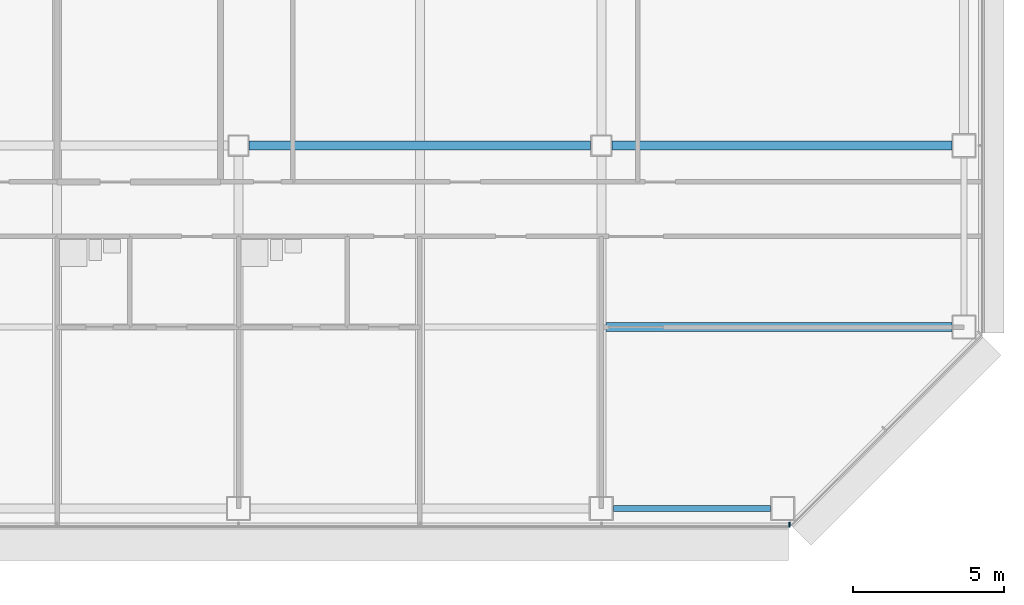
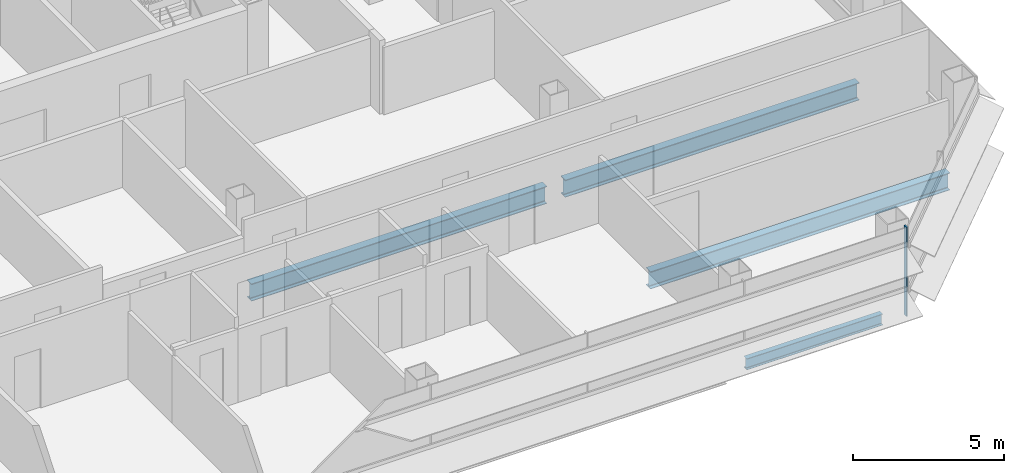
# One storey, part 9 of 25: 4 beams, 1 member, 1 element without a shape of its own.
"""IFC4 building model written with IfcOpenShell, lengths in metres."""

from ifc_helpers import new_model, si_unit, direction, frame, origin, origin_2d, place, context, subcontext, project, spatial, rectangle, i_section, extrude, material, material_profile, profile_set, type_object, element, aggregate, save


model = new_model("IFC4")

# Units and contexts
model_context = context("Model", 3, precision=1e-05, world=origin(), true_north=direction((0.0, 1.0)))
body_context = subcontext(model_context, "Body", "Model", "MODEL_VIEW")
ifc_project = project(units=[si_unit("LENGTHUNIT", "METRE"), si_unit("AREAUNIT", "SQUARE_METRE"), si_unit("VOLUMEUNIT", "CUBIC_METRE"), si_unit("PLANEANGLEUNIT", "RADIAN"), si_unit("MASSUNIT", "GRAM", prefix="KILO")], contexts=[model_context])

# Site, building, storey
site_placement = place(None, origin())
site = spatial("IfcSite", under=ifc_project, at=site_placement, CompositionType="ELEMENT")
building_placement = place(site_placement, origin())
building = spatial("IfcBuilding", under=site, at=building_placement, Name="Sorahane Residences", CompositionType="ELEMENT")
storey_placement = place(building_placement, frame((0.0, 0.0, 123.199951171875)))
storey = spatial("IfcBuildingStorey", under=building, at=storey_placement, Name="L27", CompositionType="ELEMENT", Elevation=123.199951171875)

# Curtain wall, member
ifc_material_1 = material(Name="Dark low-e glass and black anodised aluminium", Category="aluminium")
curtain_wall_type = type_object("IfcCurtainWallType", Name="Curtain wall CW-1 Typical unitised wall", PredefinedType="NOTDEFINED", material=ifc_material_1)
curtain_wall_placement = place(storey_placement, origin())
curtain_wall = element("IfcCurtainWall", 1, at=curtain_wall_placement, inside=storey, type_object=curtain_wall_type, Name="CW-1 curtain wall L27 S1", PredefinedType="NOTDEFINED")
ifc_material_2 = material(Name="Black anodised aluminium", Category="aluminium")
ifc_material_profile_1 = material_profile(ifc_material_2, rectangle(XDim=0.159912109375, YDim=0.050048828125, at=origin_2d()), Name="Curtain wall mullion CW-1 black anodised aluminium 50x160")
ifc_profile_set_1 = profile_set([ifc_material_profile_1], Name="Black anodised aluminium")
member_type = type_object("IfcMemberType", Name="Curtain wall mullion CW-1 black anodised aluminium 50x160", PredefinedType="MULLION", material=ifc_profile_set_1)
member_placement = place(storey_placement, frame((54.2236328125, -0.5400390625, -0.179931640625), z_axis=(0.0, 0.0, 1.0), x_axis=(0.0, -1.0, 0.0)))
member = element("IfcMember", 2, at=member_placement, type_object=member_type, Name="CW-1 mullion L27 S1.10", PredefinedType="MULLION", context=body_context, shape_type="SweptSolid", body=[
    extrude(rectangle(XDim=0.159912109375, YDim=0.050048828125, at=origin_2d()), origin(), (0.0, 0.0, 1.0), 3.60009765625),
])
aggregate(curtain_wall, [member])

# Beams
ifc_material_3 = material(Name="Steel Q355B", Category="steel")
ifc_material_profile_2 = material_profile(ifc_material_3, i_section(OverallWidth=0.199951171875, OverallDepth=0.449951171875, WebThickness=0.009033203125, FlangeThickness=0.013916015625, FilletRadius=0.02001953125, at=origin_2d()), Name="HN 450x200x9x14")
ifc_profile_set_2 = profile_set([ifc_material_profile_2], Name="Steel Q355B")
beam_type_1 = type_object("IfcBeamType", Name="Steel floor beam HN 450x200x9x14 Q355B", PredefinedType="BEAM", material=ifc_profile_set_2)
beam_1_placement = place(storey_placement, frame((48.39990234375, 0.0, -0.405029296875), z_axis=(1.0, 0.0, 0.0), x_axis=(0.0, 1.0, 0.0)))
element("IfcBeam", 3, at=beam_1_placement, inside=storey, type_object=beam_type_1, Name="Beam L27 004", PredefinedType="BEAM", context=body_context, shape_type="SweptSolid", body=[
    extrude(i_section(OverallWidth=0.199951171875, OverallDepth=0.449951171875, WebThickness=0.009033203125, FlangeThickness=0.013916015625, FilletRadius=0.02001953125, at=origin_2d()), origin(), (0.0, 0.0, 1.0), 5.2001953125),
])
ifc_material_4 = material(Name="Steel Q355B", Category="steel")
ifc_material_profile_3 = material_profile(ifc_material_4, i_section(OverallWidth=0.300048828125, OverallDepth=0.699951171875, WebThickness=0.012939453125, FlangeThickness=0.02392578125, FilletRadius=0.028076171875, at=origin_2d()), Name="HN 700x300x13x24")
ifc_profile_set_3 = profile_set([ifc_material_profile_3], Name="Steel Q355B")
beam_type_2 = type_object("IfcBeamType", Name="Steel floor beam HN 700x300x13x24 Q355B", PredefinedType="BEAM", material=ifc_profile_set_3)
beam_2_placement = place(storey_placement, frame((36.35009765625, 12.0, -0.530029296875), z_axis=(1.0, 0.0, 0.0), x_axis=(0.0, 1.0, 0.0)))
element("IfcBeam", 4, at=beam_2_placement, inside=storey, type_object=beam_type_2, Name="Beam L27 009", PredefinedType="BEAM", context=body_context, shape_type="SweptSolid", body=[
    extrude(i_section(OverallWidth=0.300048828125, OverallDepth=0.699951171875, WebThickness=0.012939453125, FlangeThickness=0.02392578125, FilletRadius=0.028076171875, at=origin_2d()), origin(), (0.0, 0.0, 1.0), 11.2998046875),
])
beam_3_placement = place(storey_placement, frame((48.35009765625, 12.0, -0.530029296875), z_axis=(1.0, 0.0, 0.0), x_axis=(0.0, 1.0, 0.0)))
element("IfcBeam", 5, at=beam_3_placement, inside=storey, type_object=beam_type_2, Name="Beam L27 010", PredefinedType="BEAM", context=body_context, shape_type="SweptSolid", body=[
    extrude(i_section(OverallWidth=0.300048828125, OverallDepth=0.699951171875, WebThickness=0.012939453125, FlangeThickness=0.02392578125, FilletRadius=0.028076171875, at=origin_2d()), origin(), (0.0, 0.0, 1.0), 11.25),
])
beam_4_placement = place(storey_placement, frame((48.14990234375, 6.0, -0.530029296875), z_axis=(1.0, 0.0, 0.0), x_axis=(0.0, 1.0, 0.0)))
element("IfcBeam", 6, at=beam_4_placement, inside=storey, type_object=beam_type_2, Name="Beam L27 077", PredefinedType="BEAM", context=body_context, shape_type="SweptSolid", body=[
    extrude(i_section(OverallWidth=0.300048828125, OverallDepth=0.699951171875, WebThickness=0.012939453125, FlangeThickness=0.02392578125, FilletRadius=0.028076171875, at=origin_2d()), origin(), (0.0, 0.0, 1.0), 11.4501953125),
])

save(model, "model.ifc")
